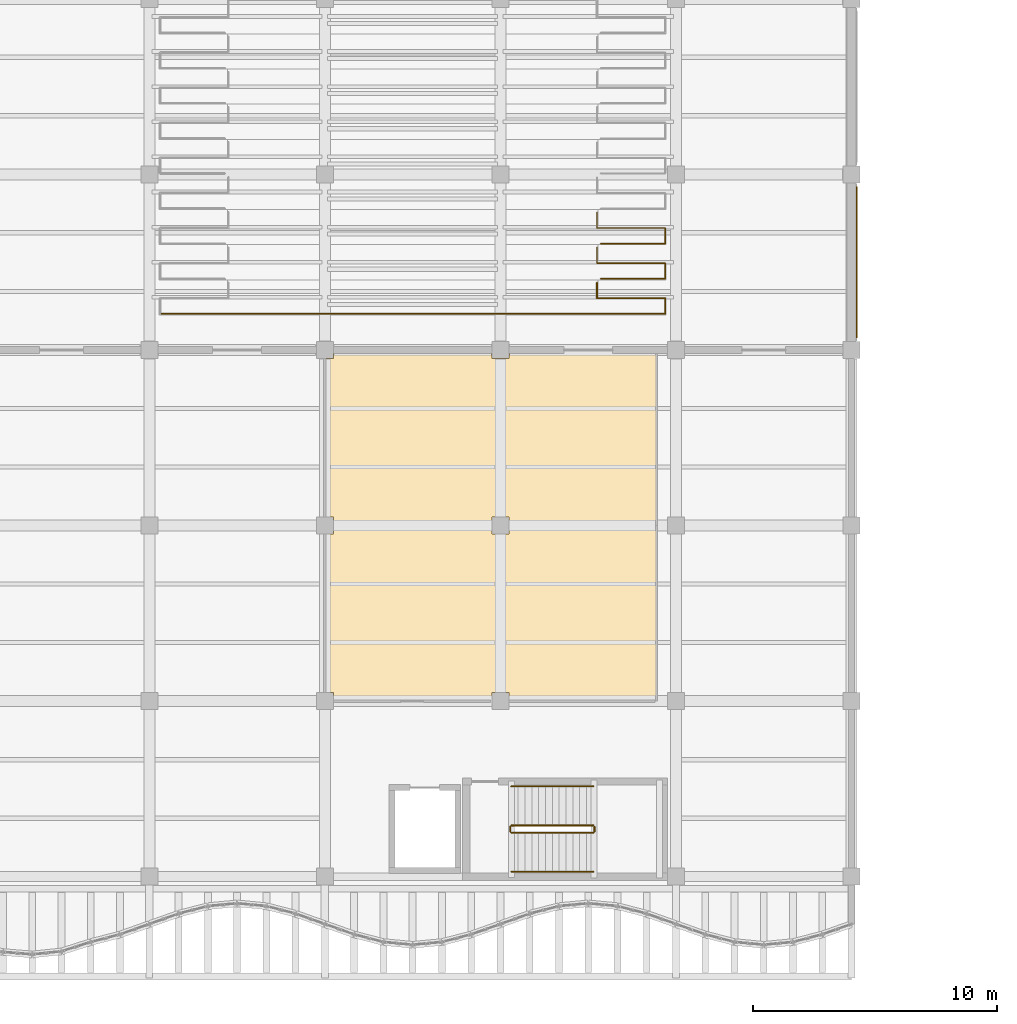
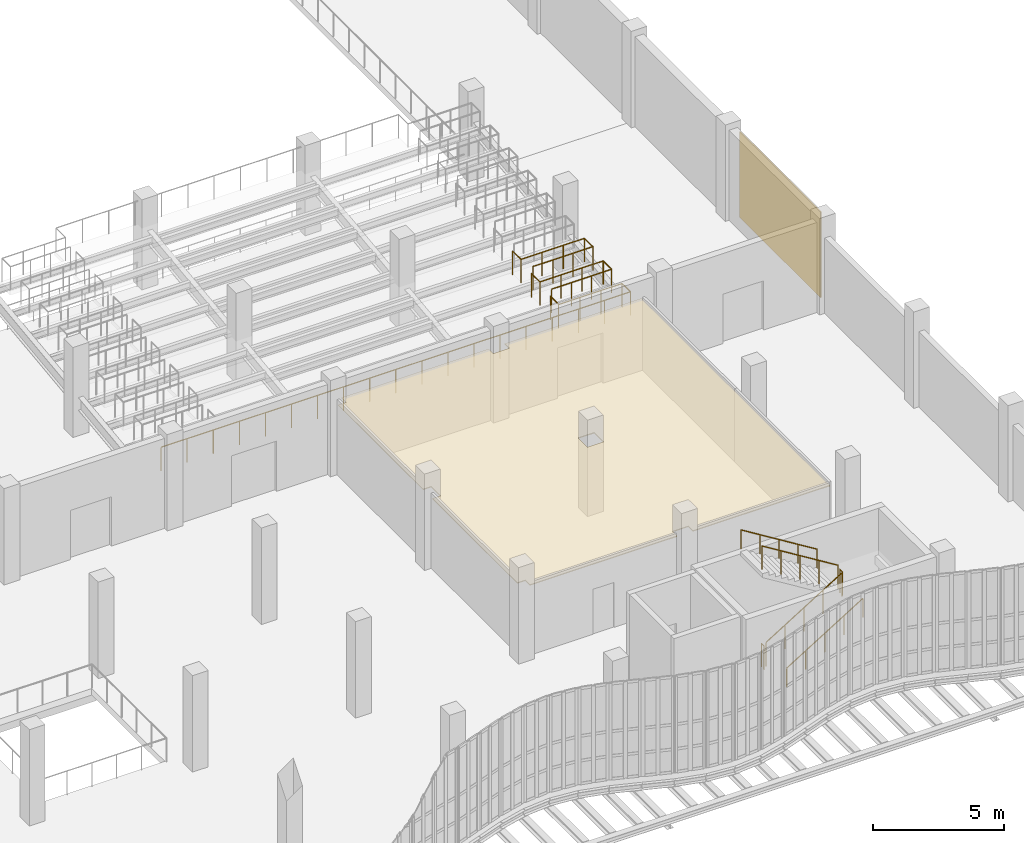
# One storey, part 101 of 108: 9 railings, 2 coverings.
"""IFC4 building model written with IfcOpenShell, lengths in metres."""

from ifc_helpers import new_model, si_unit, direction, frame, origin, origin_2d, place, context, subcontext, project, spatial, polyline, rectangle, circle, outline, extrude, material, layer, layer_set, type_object, element, save


model = new_model("IFC4")

# Units and contexts
model_context = context("Model", 3, precision=1e-05, world=origin(), true_north=direction((0.0, 1.0)))
body_context = subcontext(model_context, "Body", "Model", "MODEL_VIEW")
ifc_project = project(units=[si_unit("LENGTHUNIT", "METRE"), si_unit("AREAUNIT", "SQUARE_METRE"), si_unit("VOLUMEUNIT", "CUBIC_METRE"), si_unit("PLANEANGLEUNIT", "RADIAN"), si_unit("MASSUNIT", "GRAM", prefix="KILO"), si_unit("THERMODYNAMICTEMPERATUREUNIT", "KELVIN"), si_unit("POWERUNIT", "WATT")], contexts=[model_context])

# Site, building, storey
site_placement = place(None, origin())
site = spatial("IfcSite", under=ifc_project, at=site_placement, CompositionType="ELEMENT")
building_placement = place(site_placement, origin())
building = spatial("IfcBuilding", under=site, at=building_placement, Name="Kaldorven Railside Theatre", CompositionType="ELEMENT")
storey_placement = place(building_placement, frame((0.0, 0.0, 5.39990234375)))
storey = spatial("IfcBuildingStorey", under=building, at=storey_placement, Name="L01", CompositionType="ELEMENT", Elevation=5.39990234375)

# Coverings
ifc_material_1 = material(Name="Bush-hammered precast concrete C40/50", Category="concrete")
ifc_layer_1 = layer(ifc_material_1, 0.050048828125, Name="Bush-hammered precast concrete C40/50")
ifc_layer_set_1 = layer_set([ifc_layer_1], Name="Bush-hammered precast concrete C40/50")
covering_type_1 = type_object("IfcCoveringType", Name="COV-CLD-01", PredefinedType="CLADDING", material=ifc_layer_set_1)
covering_1_placement = place(storey_placement, frame((123.410888671875, 44.39990234375, 0.10009765625), z_axis=(0.0, 0.0, 1.0), x_axis=(0.0, -1.0, 0.0)))
element("IfcCovering", 1, at=covering_1_placement, inside=storey, type_object=covering_type_1, Name="Bush-Hammered Laterite Rainscreen Panel CLD-012", PredefinedType="CLADDING", context=body_context, shape_type="SweptSolid", body=[
    extrude(rectangle(XDim=6.199951171875, YDim=0.050048828125, at=origin_2d()), origin(), (0.0, 0.0, 1.0), 4.0),
])
ifc_material_2 = material(Name="Acoustic gypsum board")
ifc_layer_2 = layer(ifc_material_2, 0.0400390625, Name="Acoustic gypsum board")
ifc_layer_set_2 = layer_set([ifc_layer_2], Name="Acoustic gypsum board")
covering_type_2 = type_object("IfcCoveringType", Name="COV-CLG-01", PredefinedType="CEILING", material=ifc_layer_set_2)
covering_2_placement = place(storey_placement, frame((0.0, 0.0, 3.210205078125)))
element("IfcCovering", 2, at=covering_2_placement, inside=storey, type_object=covering_type_2, Name="Exhibition Gallery South Acoustic Ceiling 013", PredefinedType="CEILING", context=body_context, shape_type="SweptSolid", body=[
    extrude(outline(polyline([(115.199951171875, 40.800048828125), (115.199951171875, 26.39990234375), (109.152099609375, 26.39990234375), (109.152099609375, 26.751953125), (108.447998046875, 26.751953125), (108.447998046875, 26.39990234375), (101.951904296875, 26.39990234375), (101.951904296875, 26.751953125), (101.60009765625, 26.751953125), (101.60009765625, 33.248046875), (101.951904296875, 33.248046875), (101.951904296875, 33.951904296875), (101.60009765625, 33.951904296875), (101.60009765625, 40.447998046875), (101.951904296875, 40.447998046875), (101.951904296875, 40.800048828125), (108.447998046875, 40.800048828125), (108.447998046875, 40.447998046875), (109.152099609375, 40.447998046875), (109.152099609375, 40.800048828125), (115.199951171875, 40.800048828125)]), holes=[polyline([(109.152099609375, 33.951904296875), (108.447998046875, 33.951904296875), (108.447998046875, 33.248046875), (109.152099609375, 33.248046875), (109.152099609375, 33.951904296875)])]), origin(), (0.0, 0.0, 1.0), 0.039794921875),
])

# Railings
ifc_material_3 = material(Name="Anodised bronze aluminium", Category="aluminium")
railing_type_1 = type_object("IfcRailingType", Name="RLG-BAL-1100", PredefinedType="BALUSTRADE", material=ifc_material_3)
railing_1_placement = place(storey_placement, frame((112.760009765625, 43.56005859375, 1.43017578125)))
element("IfcRailing", 3, at=railing_1_placement, inside=storey, type_object=railing_type_1, Name="L01 Auditorium Tier Safety Guard GR-045", PredefinedType="BALUSTRADE", context=body_context, shape_type="SweptSolid", body=[
    extrude(circle(Radius=0.02392578125, at=origin_2d()), frame((0.0, 0.0, 1.09619140625), z_axis=(0.0, -1.0, 0.0), x_axis=(1.0, 0.0, 0.0)), (0.0, 0.0, 1.0), 0.64013671875),
    extrude(circle(Radius=0.02392578125, at=origin_2d()), frame((0.0, -0.64013671875, 1.09619140625), z_axis=(1.0, 0.0, 0.0), x_axis=(0.0, 1.0, 0.0)), (0.0, 0.0, 1.0), 2.800048828125),
    extrude(circle(Radius=0.02392578125, at=origin_2d()), frame((2.800048828125, -0.64013671875, 1.09619140625), z_axis=(0.0, -1.0, 0.0), x_axis=(1.0, 0.0, 0.0)), (0.0, 0.0, 1.0), 0.639892578125),
    extrude(circle(Radius=0.02392578125, at=origin_2d()), frame((2.800048828125, -1.280029296875, 1.09619140625), z_axis=(-1.0, 0.0, 0.0), x_axis=(0.0, -1.0, 0.0)), (0.0, 0.0, 1.0), 20.719970703125),
    extrude(circle(Radius=0.02099609375, at=origin_2d()), origin(), (0.0, 0.0, 1.0), 1.072021484375),
    extrude(circle(Radius=0.02099609375, at=origin_2d()), frame((0.0, -0.64013671875, 0.0)), (0.0, 0.0, 1.0), 1.072021484375),
    extrude(circle(Radius=0.02099609375, at=origin_2d()), frame((0.933349609375, -0.64013671875, 0.0)), (0.0, 0.0, 1.0), 1.072021484375),
    extrude(circle(Radius=0.02099609375, at=origin_2d()), frame((1.86669921875, -0.64013671875, 0.0)), (0.0, 0.0, 1.0), 1.072021484375),
    extrude(circle(Radius=0.02099609375, at=origin_2d()), frame((2.800048828125, -0.64013671875, 0.0)), (0.0, 0.0, 1.0), 1.072021484375),
    extrude(circle(Radius=0.02099609375, at=origin_2d()), frame((2.800048828125, -1.280029296875, 0.0)), (0.0, 0.0, 1.0), 1.072021484375),
    extrude(circle(Radius=0.02099609375, at=origin_2d()), frame((1.64892578125, -1.280029296875, 0.0)), (0.0, 0.0, 1.0), 1.072021484375),
    extrude(circle(Radius=0.02099609375, at=origin_2d()), frame((0.497802734375, -1.280029296875, 0.0)), (0.0, 0.0, 1.0), 1.072021484375),
    extrude(circle(Radius=0.02099609375, at=origin_2d()), frame((-0.6533203125, -1.280029296875, 0.0)), (0.0, 0.0, 1.0), 1.072021484375),
    extrude(circle(Radius=0.02099609375, at=origin_2d()), frame((-1.804443359375, -1.280029296875, 0.0)), (0.0, 0.0, 1.0), 1.072021484375),
    extrude(circle(Radius=0.02099609375, at=origin_2d()), frame((-2.95556640625, -1.280029296875, 0.0)), (0.0, 0.0, 1.0), 1.072021484375),
    extrude(circle(Radius=0.02099609375, at=origin_2d()), frame((-4.106689453125, -1.280029296875, 0.0)), (0.0, 0.0, 1.0), 1.072021484375),
    extrude(circle(Radius=0.02099609375, at=origin_2d()), frame((-5.2578125, -1.280029296875, 0.0)), (0.0, 0.0, 1.0), 1.072021484375),
    extrude(circle(Radius=0.02099609375, at=origin_2d()), frame((-6.408935546875, -1.280029296875, 0.0)), (0.0, 0.0, 1.0), 1.072021484375),
    extrude(circle(Radius=0.02099609375, at=origin_2d()), frame((-7.56005859375, -1.280029296875, 0.0)), (0.0, 0.0, 1.0), 1.072021484375),
    extrude(circle(Radius=0.02099609375, at=origin_2d()), frame((-8.7109375, -1.280029296875, 0.0)), (0.0, 0.0, 1.0), 1.072021484375),
    extrude(circle(Radius=0.02099609375, at=origin_2d()), frame((-9.862060546875, -1.280029296875, 0.0)), (0.0, 0.0, 1.0), 1.072021484375),
    extrude(circle(Radius=0.02099609375, at=origin_2d()), frame((-11.01318359375, -1.280029296875, 0.0)), (0.0, 0.0, 1.0), 1.072021484375),
    extrude(circle(Radius=0.02099609375, at=origin_2d()), frame((-12.164306640625, -1.280029296875, 0.0)), (0.0, 0.0, 1.0), 1.072021484375),
    extrude(circle(Radius=0.02099609375, at=origin_2d()), frame((-13.3154296875, -1.280029296875, 0.0)), (0.0, 0.0, 1.0), 1.072021484375),
    extrude(circle(Radius=0.02099609375, at=origin_2d()), frame((-14.466552734375, -1.280029296875, 0.0)), (0.0, 0.0, 1.0), 1.072021484375),
    extrude(circle(Radius=0.02099609375, at=origin_2d()), frame((-15.61767578125, -1.280029296875, 0.0)), (0.0, 0.0, 1.0), 1.072021484375),
    extrude(circle(Radius=0.02099609375, at=origin_2d()), frame((-16.768798828125, -1.280029296875, 0.0)), (0.0, 0.0, 1.0), 1.072021484375),
    extrude(circle(Radius=0.02099609375, at=origin_2d()), frame((-17.919921875, -1.280029296875, 0.0)), (0.0, 0.0, 1.0), 1.072021484375),
])
railing_2_placement = place(storey_placement, frame((112.760009765625, 45.0, 1.610107421875)))
element("IfcRailing", 4, at=railing_2_placement, inside=storey, type_object=railing_type_1, Name="L01 Auditorium Tier Safety Guard GR-047", PredefinedType="BALUSTRADE", context=body_context, shape_type="SweptSolid", body=[
    extrude(circle(Radius=0.02392578125, at=origin_2d()), frame((0.0, 0.0, 1.09619140625), z_axis=(0.0, -1.0, 0.0), x_axis=(1.0, 0.0, 0.0)), (0.0, 0.0, 1.0), 0.639892578125),
    extrude(circle(Radius=0.02392578125, at=origin_2d()), frame((0.0, -0.639892578125, 1.09619140625), z_axis=(1.0, 0.0, 0.0), x_axis=(0.0, 1.0, 0.0)), (0.0, 0.0, 1.0), 2.800048828125),
    extrude(circle(Radius=0.02392578125, at=origin_2d()), frame((2.800048828125, -0.639892578125, 1.09619140625), z_axis=(0.0, -1.0, 0.0), x_axis=(1.0, 0.0, 0.0)), (0.0, 0.0, 1.0), 0.64013671875),
    extrude(circle(Radius=0.02392578125, at=origin_2d()), frame((2.800048828125, -1.280029296875, 1.09619140625), z_axis=(-1.0, 0.0, 0.0), x_axis=(0.0, -1.0, 0.0)), (0.0, 0.0, 1.0), 2.64697265625),
    extrude(circle(Radius=0.02099609375, at=origin_2d()), origin(), (0.0, 0.0, 1.0), 1.072021484375),
    extrude(circle(Radius=0.02099609375, at=origin_2d()), frame((0.0, -0.639892578125, 0.0)), (0.0, 0.0, 1.0), 1.072021484375),
    extrude(circle(Radius=0.02099609375, at=origin_2d()), frame((0.933349609375, -0.639892578125, 0.0)), (0.0, 0.0, 1.0), 1.072021484375),
    extrude(circle(Radius=0.02099609375, at=origin_2d()), frame((1.86669921875, -0.639892578125, 0.0)), (0.0, 0.0, 1.0), 1.072021484375),
    extrude(circle(Radius=0.02099609375, at=origin_2d()), frame((2.800048828125, -0.639892578125, 0.0)), (0.0, 0.0, 1.0), 1.072021484375),
    extrude(circle(Radius=0.02099609375, at=origin_2d()), frame((2.800048828125, -1.280029296875, 0.0)), (0.0, 0.0, 1.0), 1.072021484375),
    extrude(circle(Radius=0.02099609375, at=origin_2d()), frame((1.917724609375, -1.280029296875, 0.0)), (0.0, 0.0, 1.0), 1.072021484375),
    extrude(circle(Radius=0.02099609375, at=origin_2d()), frame((1.035400390625, -1.280029296875, 0.0)), (0.0, 0.0, 1.0), 1.072021484375),
    extrude(circle(Radius=0.02099609375, at=origin_2d()), frame((0.153076171875, -1.280029296875, 0.0)), (0.0, 0.0, 1.0), 1.072021484375),
])
railing_3_placement = place(storey_placement, frame((112.760009765625, 46.43994140625, 1.7900390625)))
element("IfcRailing", 5, at=railing_3_placement, inside=storey, type_object=railing_type_1, Name="L01 Auditorium Tier Safety Guard GR-050", PredefinedType="BALUSTRADE", context=body_context, shape_type="SweptSolid", body=[
    extrude(circle(Radius=0.02392578125, at=origin_2d()), frame((0.0, 0.0, 1.09619140625), z_axis=(0.0, -1.0, 0.0), x_axis=(1.0, 0.0, 0.0)), (0.0, 0.0, 1.0), 0.639892578125),
    extrude(circle(Radius=0.02392578125, at=origin_2d()), frame((0.0, -0.639892578125, 1.09619140625), z_axis=(1.0, 0.0, 0.0), x_axis=(0.0, 1.0, 0.0)), (0.0, 0.0, 1.0), 2.800048828125),
    extrude(circle(Radius=0.02392578125, at=origin_2d()), frame((2.800048828125, -0.639892578125, 1.09619140625), z_axis=(0.0, -1.0, 0.0), x_axis=(1.0, 0.0, 0.0)), (0.0, 0.0, 1.0), 0.64013671875),
    extrude(circle(Radius=0.02392578125, at=origin_2d()), frame((2.800048828125, -1.280029296875, 1.09619140625), z_axis=(-1.0, 0.0, 0.0), x_axis=(0.0, -1.0, 0.0)), (0.0, 0.0, 1.0), 2.64697265625),
    extrude(circle(Radius=0.02099609375, at=origin_2d()), origin(), (0.0, 0.0, 1.0), 1.072021484375),
    extrude(circle(Radius=0.02099609375, at=origin_2d()), frame((0.0, -0.639892578125, 0.0)), (0.0, 0.0, 1.0), 1.072021484375),
    extrude(circle(Radius=0.02099609375, at=origin_2d()), frame((0.933349609375, -0.639892578125, 0.0)), (0.0, 0.0, 1.0), 1.072021484375),
    extrude(circle(Radius=0.02099609375, at=origin_2d()), frame((1.86669921875, -0.639892578125, 0.0)), (0.0, 0.0, 1.0), 1.072021484375),
    extrude(circle(Radius=0.02099609375, at=origin_2d()), frame((2.800048828125, -0.639892578125, 0.0)), (0.0, 0.0, 1.0), 1.072021484375),
    extrude(circle(Radius=0.02099609375, at=origin_2d()), frame((2.800048828125, -1.280029296875, 0.0)), (0.0, 0.0, 1.0), 1.072021484375),
    extrude(circle(Radius=0.02099609375, at=origin_2d()), frame((1.917724609375, -1.280029296875, 0.0)), (0.0, 0.0, 1.0), 1.072021484375),
    extrude(circle(Radius=0.02099609375, at=origin_2d()), frame((1.035400390625, -1.280029296875, 0.0)), (0.0, 0.0, 1.0), 1.072021484375),
    extrude(circle(Radius=0.02099609375, at=origin_2d()), frame((0.153076171875, -1.280029296875, 0.0)), (0.0, 0.0, 1.0), 1.072021484375),
])
ifc_material_4 = material(Name="Steel S355", Category="steel")
railing_type_2 = type_object("IfcRailingType", Name="RLG-STG-1100", PredefinedType="BALUSTRADE", material=ifc_material_4)
railing_4_placement = place(storey_placement, frame((109.25, 21.0, 0.173095703125)))
element("IfcRailing", 6, at=railing_4_placement, inside=storey, type_object=railing_type_2, Name="L01 ST-04 stair guard 1", PredefinedType="BALUSTRADE", context=body_context, shape_type="SweptSolid", body=[
    extrude(circle(Radius=0.02392578125, at=origin_2d()), frame((0.0, 0.0, 1.09619140625), z_axis=(0.850623216509, 0.0, 0.525775754039), x_axis=(0.0, 1.0, 0.0)), (0.0, 0.0, 1.0), 3.9501953125),
    extrude(circle(Radius=0.02099609375, at=origin_2d()), origin(), (0.0, 0.0, 1.0), 1.072021484375),
    extrude(circle(Radius=0.02099609375, at=origin_2d()), frame((0.840087890625, 0.0, 0.519287109375)), (0.0, 0.0, 1.0), 1.072021484375),
    extrude(circle(Radius=0.02099609375, at=origin_2d()), frame((1.68017578125, 0.0, 1.03857421875)), (0.0, 0.0, 1.0), 1.072021484375),
    extrude(circle(Radius=0.02099609375, at=origin_2d()), frame((2.52001953125, 0.0, 1.5576171875)), (0.0, 0.0, 1.0), 1.072021484375),
    extrude(circle(Radius=0.02099609375, at=origin_2d()), frame((3.360107421875, 0.0, 2.076904296875)), (0.0, 0.0, 1.0), 1.072021484375),
])
railing_5_placement = place(storey_placement, frame((112.659912109375, 21.050048828125, 2.25)))
element("IfcRailing", 7, at=railing_5_placement, inside=storey, type_object=railing_type_2, Name="L01 ST-04 stair guard 2", PredefinedType="BALUSTRADE", context=body_context, shape_type="SweptSolid", body=[
    extrude(circle(Radius=0.02392578125, at=origin_2d()), frame((0.0, 0.0, 1.09619140625), z_axis=(0.0, 1.0, 0.0), x_axis=(-1.0, 0.0, 0.0)), (0.0, 0.0, 1.0), 0.199951171875),
    extrude(circle(Radius=0.02099609375, at=origin_2d()), origin(), (0.0, 0.0, 1.0), 1.072021484375),
    extrude(circle(Radius=0.02099609375, at=origin_2d()), frame((0.0, 0.199951171875, 0.0)), (0.0, 0.0, 1.0), 1.072021484375),
])
railing_6_placement = place(storey_placement, frame((112.610107421875, 21.300048828125, 2.423095703125)))
element("IfcRailing", 8, at=railing_6_placement, inside=storey, type_object=railing_type_2, Name="L01 ST-04 stair guard 3", PredefinedType="BALUSTRADE", context=body_context, shape_type="SweptSolid", body=[
    extrude(circle(Radius=0.02392578125, at=origin_2d()), frame((0.0, 0.0, 1.09619140625), z_axis=(-0.850623216509, 0.0, 0.525775754039), x_axis=(0.0, -1.0, 0.0)), (0.0, 0.0, 1.0), 3.9501953125),
    extrude(circle(Radius=0.02099609375, at=origin_2d()), origin(), (0.0, 0.0, 1.0), 1.072021484375),
    extrude(circle(Radius=0.02099609375, at=origin_2d()), frame((-0.840087890625, 0.0, 0.519287109375)), (0.0, 0.0, 1.0), 1.072021484375),
    extrude(circle(Radius=0.02099609375, at=origin_2d()), frame((-1.68017578125, 0.0, 1.03857421875)), (0.0, 0.0, 1.0), 1.072021484375),
    extrude(circle(Radius=0.02099609375, at=origin_2d()), frame((-2.52001953125, 0.0, 1.5576171875)), (0.0, 0.0, 1.0), 1.072021484375),
    extrude(circle(Radius=0.02099609375, at=origin_2d()), frame((-3.360107421875, 0.0, 2.076904296875)), (0.0, 0.0, 1.0), 1.072021484375),
])
railing_7_placement = place(storey_placement, frame((109.199951171875, 21.050048828125, 0.0)))
element("IfcRailing", 9, at=railing_7_placement, inside=storey, type_object=railing_type_2, Name="L01 ST-04 stair guard 4", PredefinedType="BALUSTRADE", context=body_context, shape_type="SweptSolid", body=[
    extrude(circle(Radius=0.02392578125, at=origin_2d()), frame((0.0, 0.0, 1.09619140625), z_axis=(0.0, 1.0, 0.0), x_axis=(-1.0, 0.0, 0.0)), (0.0, 0.0, 1.0), 0.199951171875),
    extrude(circle(Radius=0.02099609375, at=origin_2d()), origin(), (0.0, 0.0, 1.0), 1.072021484375),
    extrude(circle(Radius=0.02099609375, at=origin_2d()), frame((0.0, 0.199951171875, 0.0)), (0.0, 0.0, 1.0), 1.072021484375),
])
railing_type_3 = type_object("IfcRailingType", Name="RLG-STH-900", PredefinedType="HANDRAIL", material=ifc_material_4)
railing_8_placement = place(storey_placement, frame((109.25, 19.39990234375, 0.173095703125)))
element("IfcRailing", 10, at=railing_8_placement, inside=storey, type_object=railing_type_3, Name="L01 ST-04 stair handrail 1", PredefinedType="HANDRAIL", context=body_context, shape_type="SweptSolid", body=[
    extrude(circle(Radius=0.02392578125, at=origin_2d()), frame((0.0, 0.0, 0.8759765625), z_axis=(0.850623216509, 0.0, 0.525775754039), x_axis=(0.0, 1.0, 0.0)), (0.0, 0.0, 1.0), 3.9501953125),
    extrude(circle(Radius=0.02099609375, at=origin_2d()), origin(), (0.0, 0.0, 1.0), 0.851806640625),
    extrude(circle(Radius=0.02099609375, at=origin_2d()), frame((0.840087890625, 0.0, 0.519287109375)), (0.0, 0.0, 1.0), 0.851806640625),
    extrude(circle(Radius=0.02099609375, at=origin_2d()), frame((1.68017578125, 0.0, 1.03857421875)), (0.0, 0.0, 1.0), 0.851806640625),
    extrude(circle(Radius=0.02099609375, at=origin_2d()), frame((2.52001953125, 0.0, 1.5576171875)), (0.0, 0.0, 1.0), 0.851806640625),
    extrude(circle(Radius=0.02099609375, at=origin_2d()), frame((3.360107421875, 0.0, 2.076904296875)), (0.0, 0.0, 1.0), 0.851806640625),
])
railing_9_placement = place(storey_placement, frame((112.610107421875, 22.89990234375, 2.423095703125)))
element("IfcRailing", 11, at=railing_9_placement, inside=storey, type_object=railing_type_3, Name="L01 ST-04 stair handrail 2", PredefinedType="HANDRAIL", context=body_context, shape_type="SweptSolid", body=[
    extrude(circle(Radius=0.02392578125, at=origin_2d()), frame((0.0, 0.0, 0.8759765625), z_axis=(-0.850623216509, 0.0, 0.525775754039), x_axis=(0.0, -1.0, 0.0)), (0.0, 0.0, 1.0), 3.9501953125),
    extrude(circle(Radius=0.02099609375, at=origin_2d()), origin(), (0.0, 0.0, 1.0), 0.851806640625),
    extrude(circle(Radius=0.02099609375, at=origin_2d()), frame((-0.840087890625, 0.0, 0.519287109375)), (0.0, 0.0, 1.0), 0.851806640625),
    extrude(circle(Radius=0.02099609375, at=origin_2d()), frame((-1.68017578125, 0.0, 1.03857421875)), (0.0, 0.0, 1.0), 0.851806640625),
    extrude(circle(Radius=0.02099609375, at=origin_2d()), frame((-2.52001953125, 0.0, 1.5576171875)), (0.0, 0.0, 1.0), 0.851806640625),
    extrude(circle(Radius=0.02099609375, at=origin_2d()), frame((-3.360107421875, 0.0, 2.076904296875)), (0.0, 0.0, 1.0), 0.851806640625),
])

save(model, "model.ifc")
